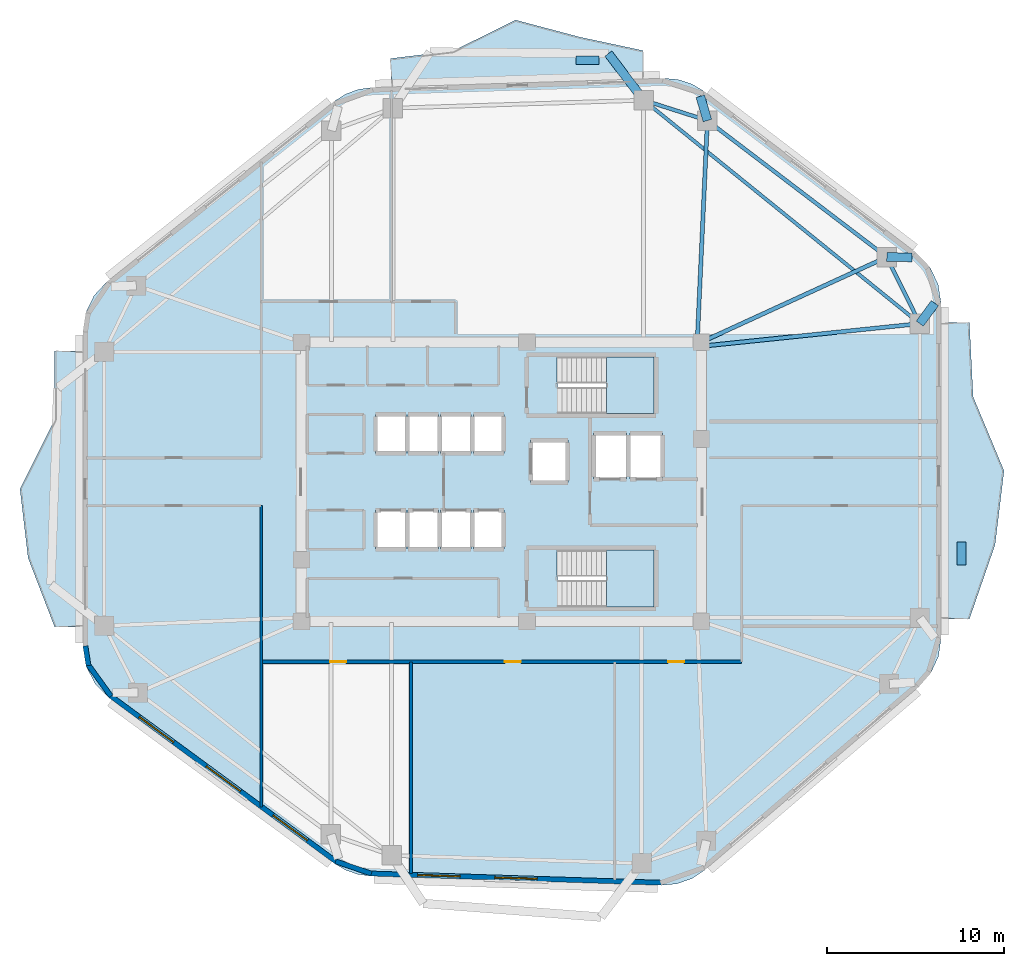
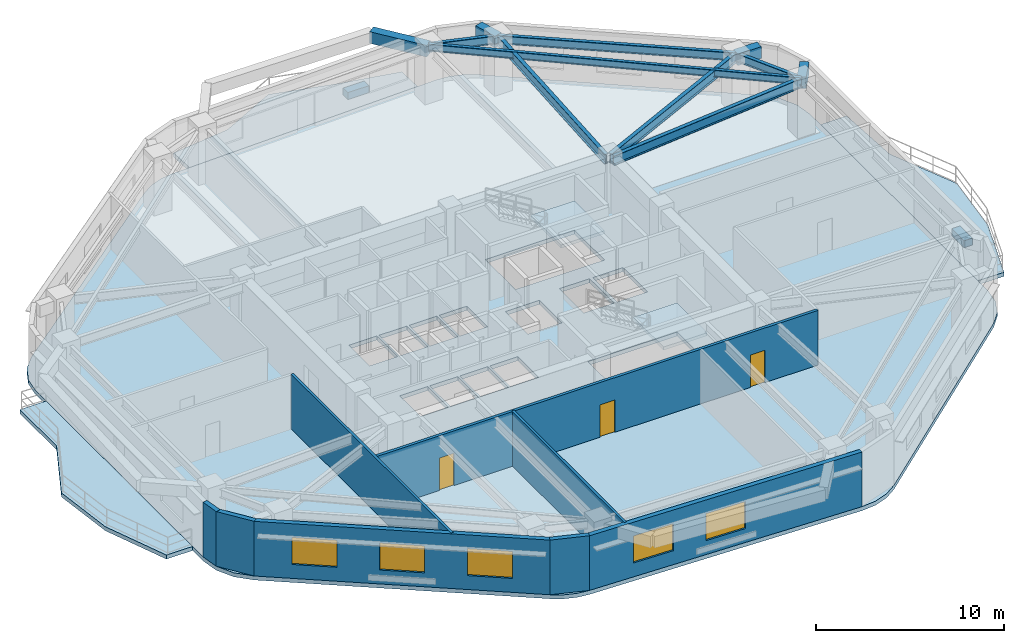
# One storey, part 2 of 8: 11 beams, 8 walls, 6 slabs, 5 windows, 3 doors, 2 plates, 8 openings, 2 elements without a shape of their own.
"""IFC4 building model written with IfcOpenShell, lengths in metres."""

from ifc_helpers import new_model, si_unit, direction, frame, frame_2d, origin, origin_2d, place, context, subcontext, project, spatial, polyline, rectangle, i_section, outline, extrude, material, layer, layer_set, material_profile, profile_set, type_object, element, fill, aggregate, save


model = new_model("IFC4")

# Units and contexts
model_context = context("Model", 3, precision=1e-05, world=origin(), true_north=direction((0.0, 1.0)))
body_context = subcontext(model_context, "Body", "Model", "MODEL_VIEW")
ifc_project = project(units=[si_unit("LENGTHUNIT", "METRE"), si_unit("AREAUNIT", "SQUARE_METRE"), si_unit("VOLUMEUNIT", "CUBIC_METRE"), si_unit("PLANEANGLEUNIT", "RADIAN"), si_unit("MASSUNIT", "GRAM", prefix="KILO")], contexts=[model_context])

# Site, building, storey
site_placement = place(None, origin())
site = spatial("IfcSite", under=ifc_project, at=site_placement, CompositionType="ELEMENT")
building_placement = place(site_placement, origin())
building = spatial("IfcBuilding", under=site, at=building_placement, Name="Zulverin Broadcast Headquarters", CompositionType="ELEMENT")
storey_placement = place(building_placement, frame((0.0, 0.0, 151.60009765625)))
storey = spatial("IfcBuildingStorey", under=building, at=storey_placement, Name="L38", CompositionType="ELEMENT", Elevation=151.60009765625)

# Beams
ifc_material_1 = material(Name="Concrete C40/50", Category="concrete")
ifc_material_profile_1 = material_profile(ifc_material_1, rectangle(XDim=0.5, YDim=0.75, at=origin_2d()), Name="Concrete C40/50", Category="concrete")
ifc_profile_set_1 = profile_set([ifc_material_profile_1], Name="Concrete C40/50")
beam_type_1 = type_object("IfcBeamType", Name="BM-RC-500x750", PredefinedType="BEAM", material=ifc_profile_set_1)
beam_1_placement = place(storey_placement, frame((60.60009765625, 34.12158203125, 3.164794921875), z_axis=(0.594357454608, 0.80420097995, 0.0), x_axis=(-0.80420097995, 0.594357454608, 0.0)))
element("IfcBeam", 1, at=beam_1_placement, inside=storey, type_object=beam_type_1, Name="L39 Plate Overhang Back-Spanned Beam OVR-06", PredefinedType="BEAM", context=body_context, shape_type="SweptSolid", body=[
    extrude(rectangle(XDim=0.5, YDim=0.75, at=origin_2d()), origin(), (0.0, 0.0, 1.0), 1.429931640625),
])
for number, where, z_axis, x_axis, name in (
    (2, (58.738037109375, 37.877685546875, 3.164794921875), (0.99990438472, -0.013828283279, 0.0), (0.013828283279, 0.99990438472, 0.0), "L39 Plate Overhang Back-Spanned Beam OVR-07"),
    (3, (48.62158203125, 45.574951171875, 3.164794921875), (-0.28015077605, 0.959956010804, 0.0), (-0.959956010804, -0.28015077605, 0.0), "L39 Plate Overhang Back-Spanned Beam OVR-08"),
):
    element("IfcBeam", number, at=place(storey_placement, frame(where, z_axis=z_axis, x_axis=x_axis)), inside=storey, type_object=beam_type_1, Name=name, PredefinedType="BEAM", context=body_context, shape_type="SweptSolid", body=[
        extrude(rectangle(XDim=0.5, YDim=0.75, at=origin_2d()), origin(), (0.0, 0.0, 1.0), 1.43017578125),
    ])
beam_2_placement = place(storey_placement, frame((45.027587890625, 46.7236328125, 3.164794921875), z_axis=(-0.60373928825, 0.797181831092, 0.0), x_axis=(-0.797181831092, -0.60373928825, 0.0)))
element("IfcBeam", 4, at=beam_2_placement, inside=storey, type_object=beam_type_1, Name="L39 Balcony Column-Framed Cantilever BAL_N-1", PredefinedType="BEAM", context=body_context, shape_type="SweptSolid", body=[
    extrude(rectangle(XDim=0.5, YDim=0.75, at=origin_2d()), origin(), (0.0, 0.0, 1.0), 3.29541015625),
])
ifc_material_2 = material(Name="Structural steel S355JR", Category="steel")
ifc_material_profile_2 = material_profile(ifc_material_2, i_section(OverallWidth=0.19287109375, OverallDepth=0.46728515625, WebThickness=0.011474609375, FlangeThickness=0.01953125, at=origin_2d()), Name="Structural steel S355JR", Category="steel")
ifc_profile_set_2 = profile_set([ifc_material_profile_2], Name="Structural steel S355JR")
beam_type_2 = type_object("IfcBeamType", Name="BM-UB-457", PredefinedType="JOIST", material=ifc_profile_set_2)
beam_3_placement = place(storey_placement, frame((60.60009765625, 34.12158203125, 3.306396484375), z_axis=(-0.777349017335, 0.629069555175, 0.0), x_axis=(-0.629069555175, -0.777349017335, 0.0)))
element("IfcBeam", 5, at=beam_3_placement, inside=storey, type_object=beam_type_2, Name="L38 Chordal Floor Joist J-02", PredefinedType="JOIST", context=body_context, shape_type="SweptSolid", body=[
    extrude(i_section(OverallWidth=0.19287109375, OverallDepth=0.46728515625, WebThickness=0.011474609375, FlangeThickness=0.01953125, at=origin_2d()), origin(), (0.0, 0.0, 1.0), 20.032958984375),
])
ifc_material_profile_3 = material_profile(ifc_material_2, i_section(OverallWidth=0.2119140625, OverallDepth=0.54443359375, WebThickness=0.0126953125, FlangeThickness=0.021240234375, at=origin_2d()), Name="Structural steel S355JR", Category="steel")
ifc_profile_set_3 = profile_set([ifc_material_profile_3], Name="Structural steel S355JR")
beam_type_3 = type_object("IfcBeamType", Name="BM-UB-533", PredefinedType="SPANDREL", material=ifc_profile_set_3)
beam_4_placement = place(storey_placement, frame((60.60009765625, 34.12158203125, 3.267578125), z_axis=(-0.444159471033, 0.895947746407, 0.0), x_axis=(-0.895947746407, -0.444159471033, 0.0)))
element("IfcBeam", 6, at=beam_4_placement, inside=storey, type_object=beam_type_3, Name="L38 Perimeter Spandrel Beam SP-06", PredefinedType="SPANDREL", context=body_context, shape_type="SweptSolid", body=[
    extrude(i_section(OverallWidth=0.2119140625, OverallDepth=0.54443359375, WebThickness=0.0126953125, FlangeThickness=0.021240234375, at=origin_2d()), origin(), (0.0, 0.0, 1.0), 4.1923828125),
])
beam_5_placement = place(storey_placement, frame((58.738037109375, 37.877685546875, 3.267578125), z_axis=(-0.795830102505, 0.60551998146, 0.0), x_axis=(-0.60551998146, -0.795830102505, 0.0)))
element("IfcBeam", 7, at=beam_5_placement, inside=storey, type_object=beam_type_3, Name="L38 Perimeter Spandrel Beam SP-07", PredefinedType="SPANDREL", context=body_context, shape_type="SweptSolid", body=[
    extrude(i_section(OverallWidth=0.2119140625, OverallDepth=0.54443359375, WebThickness=0.0126953125, FlangeThickness=0.021240234375, at=origin_2d()), origin(), (0.0, 0.0, 1.0), 12.7119140625),
])
beam_6_placement = place(storey_placement, frame((48.62158203125, 45.574951171875, 3.267578125), z_axis=(-0.952531523781, 0.304439971428, 0.0), x_axis=(-0.304439971428, -0.952531523781, 0.0)))
element("IfcBeam", 8, at=beam_6_placement, inside=storey, type_object=beam_type_3, Name="L38 Perimeter Spandrel Beam SP-08", PredefinedType="SPANDREL", context=body_context, shape_type="SweptSolid", body=[
    extrude(i_section(OverallWidth=0.2119140625, OverallDepth=0.54443359375, WebThickness=0.0126953125, FlangeThickness=0.021240234375, at=origin_2d()), origin(), (0.0, 0.0, 1.0), 3.773193359375),
])
ifc_material_profile_4 = material_profile(ifc_material_2, i_section(OverallWidth=0.230224609375, OverallDepth=0.6171875, WebThickness=0.01318359375, FlangeThickness=0.022216796875, at=origin_2d()), Name="Structural steel S355JR", Category="steel")
ifc_profile_set_4 = profile_set([ifc_material_profile_4], Name="Structural steel S355JR")
beam_type_4 = type_object("IfcBeamType", Name="BM-UB-610", PredefinedType="BEAM", material=ifc_profile_set_4)
beam_7_placement = place(storey_placement, frame((48.324951171875, 32.85009765625, 3.231201171875), z_axis=(0.994678169641, 0.103030766473, 0.0), x_axis=(-0.103030766473, 0.994678169641, 0.0)))
element("IfcBeam", 9, at=beam_7_placement, inside=storey, type_object=beam_type_4, Name="L38 Radial Primary Floor Beam RB-06", PredefinedType="BEAM", context=body_context, shape_type="SweptSolid", body=[
    extrude(i_section(OverallWidth=0.230224609375, OverallDepth=0.6171875, WebThickness=0.01318359375, FlangeThickness=0.022216796875, at=origin_2d()), origin(), (0.0, 0.0, 1.0), 12.3408203125),
])
beam_8_placement = place(storey_placement, frame((48.27490234375, 33.074951171875, 3.231201171875), z_axis=(0.90883007293, 0.417166511764, 0.0), x_axis=(-0.417166511764, 0.90883007293, 0.0)))
element("IfcBeam", 10, at=beam_8_placement, inside=storey, type_object=beam_type_4, Name="L38 Radial Primary Floor Beam RB-07", PredefinedType="BEAM", context=body_context, shape_type="SweptSolid", body=[
    extrude(i_section(OverallWidth=0.230224609375, OverallDepth=0.6171875, WebThickness=0.01318359375, FlangeThickness=0.022216796875, at=origin_2d()), origin(), (0.0, 0.0, 1.0), 11.5126953125),
])
beam_9_placement = place(storey_placement, frame((48.050048828125, 33.125, 3.231201171875), z_axis=(0.045858166026, 0.998947960911, 0.0), x_axis=(-0.998947960911, 0.045858166026, 0.0)))
element("IfcBeam", 11, at=beam_9_placement, inside=storey, type_object=beam_type_4, Name="L38 Radial Primary Floor Beam RB-08", PredefinedType="BEAM", context=body_context, shape_type="SweptSolid", body=[
    extrude(i_section(OverallWidth=0.230224609375, OverallDepth=0.6171875, WebThickness=0.01318359375, FlangeThickness=0.022216796875, at=origin_2d()), origin(), (0.0, 0.0, 1.0), 12.463134765625),
])

# Plates
ifc_material_3 = material(Name="Precast concrete C45/55", Category="concrete")
ifc_layer_1 = layer(ifc_material_3, 0.449951171875, Name="Precast concrete C45/55", Category="concrete")
ifc_layer_set_1 = layer_set([ifc_layer_1], Name="Precast concrete C45/55")
plate_type = type_object("IfcPlateType", Name="PT-01_PRECAST_GFRC_TREE_PLANTER", PredefinedType="USERDEFINED", material=ifc_layer_set_1)
for number, where, z_axis, x_axis, name in (
    (12, (62.949951171875, 21.143798828125, -0.0048828125), (0.0, 0.0, 1.0), (0.0, 1.0, 0.0), "L38 Precast GFRC Tree Planter BAL_E"),
    (13, (41.869140625, 48.974609375, -0.0048828125), (0.0, 0.0, 1.0), (1.0, 0.0, 0.0), "L38 Precast GFRC Tree Planter BAL_N"),
):
    element("IfcPlate", number, at=place(storey_placement, frame(where, z_axis=z_axis, x_axis=x_axis)), inside=storey, type_object=plate_type, Name=name, ObjectType="PLANTER", PredefinedType="USERDEFINED", context=body_context, shape_type="SweptSolid", body=[
        extrude(rectangle(XDim=1.300048828125, YDim=0.5, at=origin_2d()), origin(), (0.0, 0.0, 1.0), 0.449951171875),
    ])

# Slabs
ifc_layer_2 = layer(ifc_material_1, 0.260009765625, Name="Concrete C40/50", Category="concrete")
ifc_layer_set_2 = layer_set([ifc_layer_2], Name="Concrete C40/50")
slab_type_1 = type_object("IfcSlabType", Name="SLB-BAL-260", PredefinedType="FLOOR", material=ifc_layer_set_2)
slab_1_placement = place(storey_placement, frame((0.0, 0.0, -0.260009765625)))
element("IfcSlab", 14, at=slab_1_placement, inside=storey, type_object=slab_type_1, Name="L38 Cantilevered Planted Balcony Slab BAL_E", PredefinedType="FLOOR", context=body_context, shape_type="SweptSolid", body=[
    extrude(outline(polyline([(61.800048828125, 34.17138671875), (61.800048828125, 17.46923828125), (63.39990234375, 17.46923828125), (64.84423828125, 21.644775390625), (65.35009765625, 25.8203125), (63.608642578125, 29.995849609375), (63.39990234375, 34.17138671875), (61.800048828125, 34.17138671875)])), origin(), (0.0, 0.0, 1.0), 0.260009765625),
])
slab_2_placement = place(storey_placement, frame((0.0, 0.0, -0.260009765625)))
element("IfcSlab", 15, at=slab_2_placement, inside=storey, type_object=slab_type_1, Name="L38 Cantilevered Planted Balcony Slab BAL_N", PredefinedType="FLOOR", context=body_context, shape_type="SweptSolid", body=[
    extrude(outline(polyline([(30.794189453125, 47.47265625), (45.03955078125, 47.924560546875), (44.98876953125, 49.523681640625), (41.3994140625, 50.2900390625), (37.80419921875, 51.246826171875), (34.29443359375, 49.508056640625), (30.743408203125, 49.072021484375), (30.794189453125, 47.47265625)])), origin(), (0.0, 0.0, 1.0), 0.260009765625),
])
slab_3_placement = place(storey_placement, frame((0.0, 0.0, -0.260009765625)))
element("IfcSlab", 16, at=slab_3_placement, inside=storey, type_object=slab_type_1, Name="L38 Cantilevered Planted Balcony Slab BAL_W", PredefinedType="FLOOR", context=body_context, shape_type="SweptSolid", body=[
    extrude(outline(polyline([(13.39990234375, 17.02197265625), (13.39990234375, 32.5732421875), (11.800048828125, 32.5732421875), (11.800048828125, 28.685302734375), (9.85009765625, 24.797607421875), (10.30615234375, 20.90966796875), (11.800048828125, 17.02197265625), (13.39990234375, 17.02197265625)])), origin(), (0.0, 0.0, 1.0), 0.260009765625),
])

# Stair, slab
stair_type = type_object("IfcStairType", Name="ST-CORE-1500", PredefinedType="HALF_TURN_STAIR", material=ifc_material_1)
stair_1_placement = place(storey_placement, origin())
stair_1 = element("IfcStair", 17, at=stair_1_placement, inside=storey, type_object=stair_type, Name="L38 Core Exit Stair ST-1", PredefinedType="HALF_TURN_STAIR")
ifc_layer_3 = layer(ifc_material_1, 0.199951171875, Name="Concrete C40/50", Category="concrete")
ifc_layer_set_3 = layer_set([ifc_layer_3], Name="Concrete C40/50")
slab_type_2 = type_object("IfcSlabType", Name="SLB-ST-LND200", PredefinedType="LANDING", material=ifc_layer_set_3)
slab_4_placement = place(storey_placement, frame((0.0, 0.0, 1.699951171875)))
slab_4 = element("IfcSlab", 18, at=slab_4_placement, type_object=slab_type_2, Name="ST-1 landing 1", PredefinedType="LANDING", context=body_context, shape_type="SweptSolid", body=[
    extrude(outline(polyline([(42.929931640625, 29.050048828125), (45.60009765625, 29.050048828125), (45.60009765625, 32.25), (42.929931640625, 32.25), (42.929931640625, 29.050048828125)])), origin(), (0.0, 0.0, 1.0), 0.199951171875),
])
aggregate(stair_1, [slab_4])

stair_2_placement = place(storey_placement, origin())
stair_2 = element("IfcStair", 19, at=stair_2_placement, inside=storey, type_object=stair_type, Name="L38 Core Exit Stair ST-2", PredefinedType="HALF_TURN_STAIR")
slab_5_placement = place(storey_placement, frame((0.0, 0.0, 1.699951171875)))
slab_5 = element("IfcSlab", 20, at=slab_5_placement, type_object=slab_type_2, Name="ST-2 landing 1", PredefinedType="LANDING", context=body_context, shape_type="SweptSolid", body=[
    extrude(outline(polyline([(42.929931640625, 18.14990234375), (45.60009765625, 18.14990234375), (45.60009765625, 21.35009765625), (42.929931640625, 21.35009765625), (42.929931640625, 18.14990234375)])), origin(), (0.0, 0.0, 1.0), 0.199951171875),
])
aggregate(stair_2, [slab_5])

# Slab
ifc_layer_4 = layer(ifc_material_1, 0.260009765625, Name="Concrete C40/50", Category="concrete")
ifc_layer_set_4 = layer_set([ifc_layer_4], Name="Concrete C40/50")
slab_type_3 = type_object("IfcSlabType", Name="SLB-TWR-260", PredefinedType="FLOOR", material=ifc_layer_set_4)
slab_6_placement = place(storey_placement, frame((0.0, 0.0, -0.260009765625)))
element("IfcSlab", 21, at=slab_6_placement, inside=storey, type_object=slab_type_3, Name="L38 Main Structural Floor Slab", PredefinedType="FLOOR", context=body_context, shape_type="SweptSolid", body=[
    extrude(outline(polyline([(27.603515625, 3.661865234375), (28.224365234375, 3.295166015625), (28.906005859375, 3.0595703125), (29.62109375, 2.964599609375), (46.02099609375, 2.4443359375), (46.902587890625, 2.525146484375), (47.738037109375, 2.81884765625), (48.476318359375, 3.3076171875), (60.541015625, 13.63427734375), (61.220703125, 14.41064453125), (61.652099609375, 15.34814453125), (61.800048828125, 16.369384765625), (61.800048828125, 35.271484375), (61.6318359375, 36.358642578125), (61.143310546875, 37.344482421875), (60.3798828125, 38.136474609375), (48.432861328125, 47.226318359375), (47.73095703125, 47.643798828125), (46.952880859375, 47.892578125), (46.138916015625, 47.95947265625), (29.694580078125, 47.437744140625), (28.9365234375, 47.332275390625), (28.2177734375, 47.06884765625), (27.57080078125, 46.659423828125), (14.761962890625, 36.492919921875), (14.02880859375, 35.705810546875), (13.560791015625, 34.737060546875), (13.39990234375, 33.673095703125), (13.39990234375, 15.921875), (13.57421875, 14.815673828125), (14.079833984375, 13.81640625), (14.8681640625, 13.02099609375), (27.603515625, 3.661865234375)]), holes=[polyline([(40.155029296875, 30.75), (40.130126953125, 30.75), (40.130126953125, 32.25), (45.60009765625, 32.25), (45.60009765625, 29.050048828125), (40.155029296875, 29.050048828125), (40.155029296875, 30.75)]), polyline([(40.155029296875, 19.85009765625), (40.130126953125, 19.85009765625), (40.130126953125, 21.35009765625), (45.60009765625, 21.35009765625), (45.60009765625, 18.14990234375), (40.155029296875, 18.14990234375), (40.155029296875, 19.85009765625)]), polyline([(29.89990234375, 21.39990234375), (31.6201171875, 21.39990234375), (31.6201171875, 23.60009765625), (29.89990234375, 23.60009765625), (29.89990234375, 21.39990234375)]), polyline([(31.739990234375, 21.39990234375), (33.4599609375, 21.39990234375), (33.4599609375, 23.60009765625), (31.739990234375, 23.60009765625), (31.739990234375, 21.39990234375)]), polyline([(33.580078125, 21.39990234375), (35.300048828125, 21.39990234375), (35.300048828125, 23.60009765625), (33.580078125, 23.60009765625), (33.580078125, 21.39990234375)]), polyline([(35.419921875, 21.39990234375), (37.139892578125, 21.39990234375), (37.139892578125, 23.60009765625), (35.419921875, 23.60009765625), (35.419921875, 21.39990234375)]), polyline([(29.89990234375, 26.800048828125), (31.6201171875, 26.800048828125), (31.6201171875, 29.0), (29.89990234375, 29.0), (29.89990234375, 26.800048828125)]), polyline([(31.739990234375, 26.800048828125), (33.4599609375, 26.800048828125), (33.4599609375, 29.0), (31.739990234375, 29.0), (31.739990234375, 26.800048828125)]), polyline([(33.580078125, 26.800048828125), (35.300048828125, 26.800048828125), (35.300048828125, 29.0), (33.580078125, 29.0), (33.580078125, 26.800048828125)]), polyline([(35.419921875, 26.800048828125), (37.139892578125, 26.800048828125), (37.139892578125, 29.0), (35.419921875, 29.0), (35.419921875, 26.800048828125)]), polyline([(42.199951171875, 25.35009765625), (44.050048828125, 25.35009765625), (44.050048828125, 27.949951171875), (42.199951171875, 27.949951171875), (42.199951171875, 25.35009765625)]), polyline([(44.25, 25.35009765625), (46.10009765625, 25.35009765625), (46.10009765625, 27.949951171875), (44.25, 27.949951171875), (44.25, 25.35009765625)]), polyline([(38.64990234375, 25.14990234375), (40.75, 25.14990234375), (40.75, 27.550048828125), (38.64990234375, 27.550048828125), (38.64990234375, 25.14990234375)])]), origin(), (0.0, 0.0, 1.0), 0.260009765625),
])

# Wall, openings, windows
ifc_material_4 = material(Name="Insulated pale-metal clad concrete spandrel C40/50", Category="concrete")
ifc_layer_5 = layer(ifc_material_4, 0.280029296875, Name="Insulated pale-metal clad concrete spandrel C40/50", Category="concrete")
ifc_layer_set_5 = layer_set([ifc_layer_5], Name="Insulated pale-metal clad concrete spandrel C40/50")
wall_type_1 = type_object("IfcWallType", Name="WL-EXT-280", PredefinedType="STANDARD", material=ifc_layer_set_5)
wall_1_placement = place(storey_placement, frame((29.62548828125, 3.1044921875, 0.0), z_axis=(0.0, 0.0, 1.0), x_axis=(0.99949718661, -0.031707632487, 0.0)))
wall_1 = element("IfcWall", 22, at=wall_1_placement, inside=storey, type_object=wall_type_1, Name="L38 Pale-Metal Clad Spandrel Wall 1", PredefinedType="STANDARD", context=body_context, shape_type="SweptSolid", body=[
    extrude(rectangle(XDim=16.408203125, YDim=0.280029296875, at=frame_2d((8.2041015625, 0.0))), origin(), (0.0, 0.0, 1.0), 3.539794921875),
])
opening_1_placement = place(wall_1_placement, frame((2.64794921875, 0.0, 0.89990234375)))
opening_1 = element("IfcOpeningElement", 23, at=opening_1_placement, cuts=wall_1, Name="Opening W-L38-E11", PredefinedType="OPENING", context=body_context, shape_type="SweptSolid", body=[
    extrude(rectangle(XDim=2.39990234375, YDim=1.75, at=frame_2d((1.199951171875, 0.875))), frame((0.0, 0.14990234375, 0.0), z_axis=(0.0, -1.0, 0.0), x_axis=(1.0, 0.0, 0.0)), (0.0, 0.0, 1.0), 0.300048828125),
])
opening_2_placement = place(wall_1_placement, frame((7.004150390625, 0.0, 0.89990234375)))
opening_2 = element("IfcOpeningElement", 24, at=opening_2_placement, cuts=wall_1, Name="Opening W-L38-E12", PredefinedType="OPENING", context=body_context, shape_type="SweptSolid", body=[
    extrude(rectangle(XDim=2.39990234375, YDim=1.75, at=frame_2d((1.199951171875, 0.875))), frame((0.0, 0.14990234375, 0.0), z_axis=(0.0, -1.0, 0.0), x_axis=(1.0, 0.0, 0.0)), (0.0, 0.0, 1.0), 0.300048828125),
])
ifc_material_5 = material(Name="Pale anodized aluminium frame with solar-control low-E double glazing", Category="aluminium")
window_type = type_object("IfcWindowType", Name="WIN-RIB-2400", PartitioningType="SINGLE_PANEL", PredefinedType="WINDOW", material=ifc_material_5)
window_1_placement = place(opening_1_placement, origin())
window_1 = element("IfcWindow", 25, at=window_1_placement, inside=storey, type_object=window_type, Name="L38 Ribbon Glazing Window 1 1", OverallHeight=1.75, OverallWidth=2.39990234375, PartitioningType="SINGLE_PANEL", PredefinedType="WINDOW", context=body_context, shape_type="SweptSolid", body=[
    extrude(rectangle(XDim=2.39990234375, YDim=1.75, at=frame_2d((1.199951171875, 0.875))), frame((0.0, 0.030029296875, 0.0), z_axis=(0.0, -1.0, 0.0), x_axis=(1.0, 0.0, 0.0)), (0.0, 0.0, 1.0), 0.06005859375),
])
fill(opening_1, window_1)
window_2_placement = place(opening_2_placement, origin())
window_2 = element("IfcWindow", 26, at=window_2_placement, inside=storey, type_object=window_type, Name="L38 Ribbon Glazing Window 1 2", OverallHeight=1.75, OverallWidth=2.39990234375, PartitioningType="SINGLE_PANEL", PredefinedType="WINDOW", context=body_context, shape_type="SweptSolid", body=[
    extrude(rectangle(XDim=2.39990234375, YDim=1.75, at=frame_2d((1.199951171875, 0.875))), frame((0.0, 0.030029296875, 0.0), z_axis=(0.0, -1.0, 0.0), x_axis=(1.0, 0.0, 0.0)), (0.0, 0.0, 1.0), 0.06005859375),
])
fill(opening_2, window_2)

wall_2_placement = place(storey_placement, frame((14.950927734375, 13.1337890625, 0.0), z_axis=(0.0, 0.0, 1.0), x_axis=(0.805804940328, -0.592181051827, 0.0)))
wall_2 = element("IfcWall", 27, at=wall_2_placement, inside=storey, type_object=wall_type_1, Name="L38 Pale-Metal Clad Spandrel Wall 8", PredefinedType="STANDARD", context=body_context, shape_type="SweptSolid", body=[
    extrude(rectangle(XDim=15.804443359375, YDim=0.280029296875, at=frame_2d((7.90234375, 0.0))), origin(), (0.0, 0.0, 1.0), 3.539794921875),
])
opening_3_placement = place(wall_2_placement, frame((2.017333984375, 0.0, 0.89990234375)))
opening_3 = element("IfcOpeningElement", 28, at=opening_3_placement, cuts=wall_2, Name="Opening W-L38-E81", PredefinedType="OPENING", context=body_context, shape_type="SweptSolid", body=[
    extrude(rectangle(XDim=2.39990234375, YDim=1.75, at=frame_2d((1.199951171875, 0.875))), frame((0.0, 0.14990234375, 0.0), z_axis=(0.0, -1.0, 0.0), x_axis=(1.0, 0.0, 0.0)), (0.0, 0.0, 1.0), 0.300048828125),
])
opening_4_placement = place(wall_2_placement, frame((6.702392578125, 0.0, 0.89990234375)))
opening_4 = element("IfcOpeningElement", 29, at=opening_4_placement, cuts=wall_2, Name="Opening W-L38-E82", PredefinedType="OPENING", context=body_context, shape_type="SweptSolid", body=[
    extrude(rectangle(XDim=2.39990234375, YDim=1.75, at=frame_2d((1.199951171875, 0.875))), frame((0.0, 0.14990234375, 0.0), z_axis=(0.0, -1.0, 0.0), x_axis=(1.0, 0.0, 0.0)), (0.0, 0.0, 1.0), 0.300048828125),
])
opening_5_placement = place(wall_2_placement, frame((11.38720703125, 0.0, 0.89990234375)))
opening_5 = element("IfcOpeningElement", 30, at=opening_5_placement, cuts=wall_2, Name="Opening W-L38-E83", PredefinedType="OPENING", context=body_context, shape_type="SweptSolid", body=[
    extrude(rectangle(XDim=2.39990234375, YDim=1.75, at=frame_2d((1.199951171875, 0.875))), frame((0.0, 0.14990234375, 0.0), z_axis=(0.0, -1.0, 0.0), x_axis=(1.0, 0.0, 0.0)), (0.0, 0.0, 1.0), 0.300048828125),
])
window_3_placement = place(opening_3_placement, origin())
window_3 = element("IfcWindow", 31, at=window_3_placement, inside=storey, type_object=window_type, Name="L38 Ribbon Glazing Window 8 1", OverallHeight=1.75, OverallWidth=2.39990234375, PartitioningType="SINGLE_PANEL", PredefinedType="WINDOW", context=body_context, shape_type="SweptSolid", body=[
    extrude(rectangle(XDim=2.39990234375, YDim=1.75, at=frame_2d((1.199951171875, 0.875))), frame((0.0, 0.030029296875, 0.0), z_axis=(0.0, -1.0, 0.0), x_axis=(1.0, 0.0, 0.0)), (0.0, 0.0, 1.0), 0.06005859375),
])
fill(opening_3, window_3)
window_4_placement = place(opening_4_placement, origin())
window_4 = element("IfcWindow", 32, at=window_4_placement, inside=storey, type_object=window_type, Name="L38 Ribbon Glazing Window 8 2", OverallHeight=1.75, OverallWidth=2.39990234375, PartitioningType="SINGLE_PANEL", PredefinedType="WINDOW", context=body_context, shape_type="SweptSolid", body=[
    extrude(rectangle(XDim=2.39990234375, YDim=1.75, at=frame_2d((1.199951171875, 0.875))), frame((0.0, 0.030029296875, 0.0), z_axis=(0.0, -1.0, 0.0), x_axis=(1.0, 0.0, 0.0)), (0.0, 0.0, 1.0), 0.06005859375),
])
fill(opening_4, window_4)
window_5_placement = place(opening_5_placement, origin())
window_5 = element("IfcWindow", 33, at=window_5_placement, inside=storey, type_object=window_type, Name="L38 Ribbon Glazing Window 8 3", OverallHeight=1.75, OverallWidth=2.39990234375, PartitioningType="SINGLE_PANEL", PredefinedType="WINDOW", context=body_context, shape_type="SweptSolid", body=[
    extrude(rectangle(XDim=2.39990234375, YDim=1.75, at=frame_2d((1.199951171875, 0.875))), frame((0.0, 0.030029296875, 0.0), z_axis=(0.0, -1.0, 0.0), x_axis=(1.0, 0.0, 0.0)), (0.0, 0.0, 1.0), 0.06005859375),
])
fill(opening_5, window_5)

# Walls
wall_3_placement = place(storey_placement, frame((13.538330078125, 15.943603515625, 0.0), z_axis=(0.0, 0.0, 1.0), x_axis=(0.155447556013, -0.987844146275, 0.0)))
element("IfcWall", 34, at=wall_3_placement, inside=storey, type_object=wall_type_1, Name="L38 Wind-Shaped Corner Spandrel Wall 7-1", PredefinedType="STANDARD", context=body_context, shape_type="SweptSolid", body=[
    extrude(rectangle(XDim=1.119873046875, YDim=0.280029296875, at=frame_2d((0.56005859375, 0.0))), origin(), (0.0, 0.0, 1.0), 3.539794921875),
])
wall_4_placement = place(storey_placement, frame((13.687744140625, 14.897705078125, 0.0), z_axis=(0.0, 0.0, 1.0), x_axis=(0.584833657716, -0.811153248655, 0.0)))
element("IfcWall", 35, at=wall_4_placement, inside=storey, type_object=wall_type_1, Name="L38 Wind-Shaped Corner Spandrel Wall 7-2", PredefinedType="STANDARD", context=body_context, shape_type="SweptSolid", body=[
    extrude(rectangle(XDim=2.21240234375, YDim=0.280029296875, at=frame_2d((1.106201171875, 0.0))), origin(), (0.0, 0.0, 1.0), 3.539794921875),
])
wall_5_placement = place(storey_placement, frame((27.649169921875, 3.794189453125, 0.0), z_axis=(0.0, 0.0, 1.0), x_axis=(0.945149124969, -0.326639145802, 0.0)))
element("IfcWall", 36, at=wall_5_placement, inside=storey, type_object=wall_type_1, Name="L38 Wind-Shaped Corner Spandrel Wall 8-1", PredefinedType="STANDARD", context=body_context, shape_type="SweptSolid", body=[
    extrude(rectangle(XDim=2.134765625, YDim=0.280029296875, at=frame_2d((1.0673828125, 0.0))), origin(), (0.0, 0.0, 1.0), 3.539794921875),
])
ifc_material_6 = material(Name="Fire-rated gypsum stud partition", Category="gypsum")
ifc_layer_6 = layer(ifc_material_6, 0.14990234375, Name="Fire-rated gypsum stud partition", Category="gypsum")
ifc_layer_set_6 = layer_set([ifc_layer_6], Name="Fire-rated gypsum stud partition")
wall_type_2 = type_object("IfcWallType", Name="WL-PART-150", PredefinedType="PARTITIONING", material=ifc_layer_set_6)
wall_6_placement = place(storey_placement, frame((31.89990234375, 3.097412109375, 0.0), z_axis=(0.0, 0.0, 1.0), x_axis=(0.0, 1.0, 0.0)))
element("IfcWall", 37, at=wall_6_placement, inside=storey, type_object=wall_type_2, Name="L38 Room Partition Wall RP-04", PredefinedType="PARTITIONING", context=body_context, shape_type="SweptSolid", body=[
    extrude(rectangle(XDim=11.95263671875, YDim=0.14990234375, at=frame_2d((5.976318359375, 0.0))), origin(), (0.0, 0.0, 1.0), 3.539794921875),
])
wall_7_placement = place(storey_placement, frame((23.449951171875, 6.854248046875, 0.0), z_axis=(0.0, 0.0, 1.0), x_axis=(0.0, 1.0, 0.0)))
element("IfcWall", 38, at=wall_7_placement, inside=storey, type_object=wall_type_2, Name="L38 Gallery Partition Wall CG-06", PredefinedType="PARTITIONING", context=body_context, shape_type="SweptSolid", body=[
    extrude(rectangle(XDim=16.995849609375, YDim=0.14990234375, at=frame_2d((8.498046875, 0.0))), origin(), (0.0, 0.0, 1.0), 3.539794921875),
])

# Wall, openings, doors
ifc_material_7 = material(Name="Fire-rated acoustic stud wall", Category="gypsum")
ifc_layer_7 = layer(ifc_material_7, 0.175048828125, Name="Fire-rated acoustic stud wall", Category="gypsum")
ifc_layer_set_7 = layer_set([ifc_layer_7], Name="Fire-rated acoustic stud wall")
wall_type_3 = type_object("IfcWallType", Name="WL-PART-175", PredefinedType="PARTITIONING", material=ifc_layer_set_7)
wall_8_placement = place(storey_placement, frame((23.449951171875, 15.050048828125, 0.0), z_axis=(0.0, 0.0, 1.0), x_axis=(1.0, 0.0, 0.0)))
wall_8 = element("IfcWall", 39, at=wall_8_placement, inside=storey, type_object=wall_type_3, Name="L38 Gallery Partition Wall CG-08", PredefinedType="PARTITIONING", context=body_context, shape_type="SweptSolid", body=[
    extrude(rectangle(XDim=27.10009765625, YDim=0.175048828125, at=frame_2d((13.550048828125, 0.0))), origin(), (0.0, 0.0, 1.0), 3.539794921875),
])
opening_6_placement = place(wall_8_placement, frame((3.89501953125, 0.0, 0.0)))
opening_6 = element("IfcOpeningElement", 40, at=opening_6_placement, cuts=wall_8, Name="Opening D-L38-03", PredefinedType="OPENING", context=body_context, shape_type="SweptSolid", body=[
    extrude(rectangle(XDim=0.89990234375, YDim=2.10009765625, at=frame_2d((0.449951171875, 1.050048828125))), frame((0.0, 0.097412109375, 0.0), z_axis=(0.0, -1.0, 0.0), x_axis=(1.0, 0.0, 0.0)), (0.0, 0.0, 1.0), 0.195068359375),
])
opening_7_placement = place(wall_8_placement, frame((13.75, 0.0, 0.0)))
opening_7 = element("IfcOpeningElement", 41, at=opening_7_placement, cuts=wall_8, Name="Opening D-L38-04", PredefinedType="OPENING", context=body_context, shape_type="SweptSolid", body=[
    extrude(rectangle(XDim=0.89990234375, YDim=2.10009765625, at=frame_2d((0.449951171875, 1.050048828125))), frame((0.0, 0.097412109375, 0.0), z_axis=(0.0, -1.0, 0.0), x_axis=(1.0, 0.0, 0.0)), (0.0, 0.0, 1.0), 0.195068359375),
])
opening_8_placement = place(wall_8_placement, frame((22.955078125, 0.0, 0.0)))
opening_8 = element("IfcOpeningElement", 42, at=opening_8_placement, cuts=wall_8, Name="Opening D-L38-05", PredefinedType="OPENING", context=body_context, shape_type="SweptSolid", body=[
    extrude(rectangle(XDim=0.89990234375, YDim=2.10009765625, at=frame_2d((0.449951171875, 1.050048828125))), frame((0.0, 0.097412109375, 0.0), z_axis=(0.0, -1.0, 0.0), x_axis=(1.0, 0.0, 0.0)), (0.0, 0.0, 1.0), 0.195068359375),
])
ifc_material_8 = material(Name="Fire-rated hardwood veneer timber leaf", Category="wood")
door_type = type_object("IfcDoorType", Name="DR-ROOM-900", OperationType="SINGLE_SWING_RIGHT", PredefinedType="DOOR", material=ifc_material_8)
door_1_placement = place(opening_6_placement, origin())
door_1 = element("IfcDoor", 43, at=door_1_placement, inside=storey, type_object=door_type, Name="L38 Incident Briefing Room Door", OperationType="SINGLE_SWING_RIGHT", OverallHeight=2.10009765625, OverallWidth=0.89990234375, PredefinedType="DOOR", context=body_context, shape_type="SweptSolid", body=[
    extrude(rectangle(XDim=0.89990234375, YDim=2.10009765625, at=frame_2d((0.449951171875, 1.050048828125))), frame((0.0, 0.02490234375, 0.0), z_axis=(0.0, -1.0, 0.0), x_axis=(1.0, 0.0, 0.0)), (0.0, 0.0, 1.0), 0.050048828125),
])
fill(opening_6, door_1)
door_2_placement = place(opening_7_placement, origin())
door_2 = element("IfcDoor", 44, at=door_2_placement, inside=storey, type_object=door_type, Name="L38 24-Hour Staff Canteen Door", OperationType="SINGLE_SWING_LEFT", OverallHeight=2.10009765625, OverallWidth=0.89990234375, PredefinedType="DOOR", context=body_context, shape_type="SweptSolid", body=[
    extrude(rectangle(XDim=0.89990234375, YDim=2.10009765625, at=frame_2d((0.449951171875, 1.050048828125))), frame((0.0, 0.02490234375, 0.0), z_axis=(0.0, -1.0, 0.0), x_axis=(1.0, 0.0, 0.0)), (0.0, 0.0, 1.0), 0.050048828125),
])
fill(opening_7, door_2)
door_3_placement = place(opening_8_placement, origin())
door_3 = element("IfcDoor", 45, at=door_3_placement, inside=storey, type_object=door_type, Name="L38 Night Bistro Door", OperationType="SINGLE_SWING_RIGHT", OverallHeight=2.10009765625, OverallWidth=0.89990234375, PredefinedType="DOOR", context=body_context, shape_type="SweptSolid", body=[
    extrude(rectangle(XDim=0.89990234375, YDim=2.10009765625, at=frame_2d((0.449951171875, 1.050048828125))), frame((0.0, 0.02490234375, 0.0), z_axis=(0.0, -1.0, 0.0), x_axis=(1.0, 0.0, 0.0)), (0.0, 0.0, 1.0), 0.050048828125),
])
fill(opening_8, door_3)

save(model, "model.ifc")
